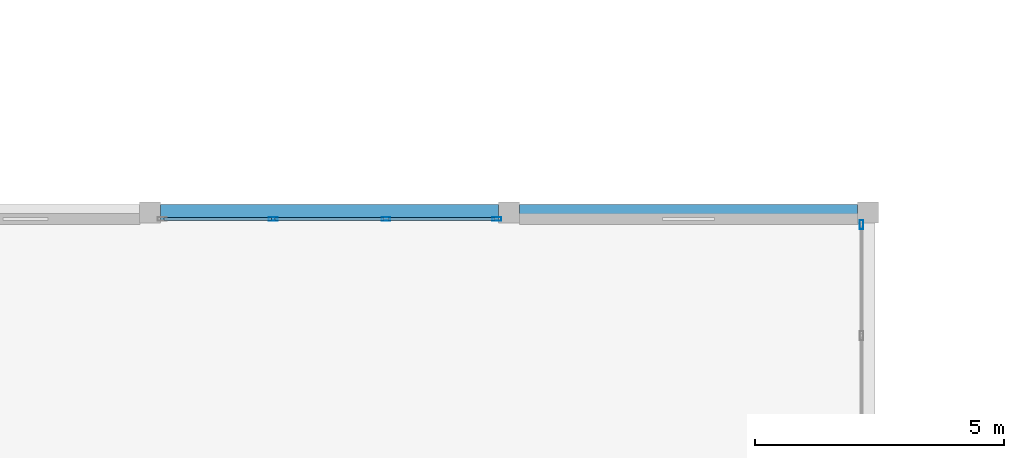
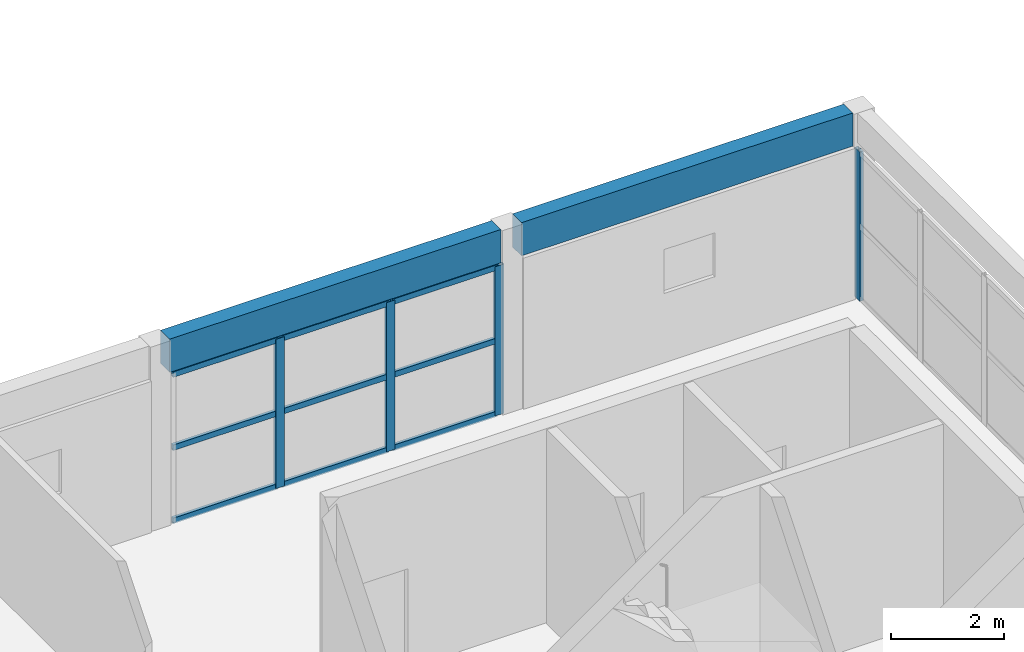
# One storey, part 37 of 68: 13 members, 2 beams, 2 elements without a shape of their own.
"""IFC4 building model written with IfcOpenShell, lengths in metres."""

import ifcopenshell
import ifcopenshell.guid

model = None  # the IFC model being written
_history = None  # IfcOwnerHistory: only IFC2X3 demands one
_inside = {}  # id of a spatial element -> (the spatial element, [elements in it])
_under = {}  # id of a project, library or spatial element -> (it, [spatial elements below it])
_declared = {}  # id of a project -> (the project, [libraries it declares])
_typed = {}  # id of a type object -> (the type object, [elements of that type])
_made_of = {}  # id of a material, layer set ... -> (it, [elements and type objects made of it])


def new_model(schema):
    """Start an empty IFC model of exactly this schema.

    Asked for "IFC4X3", IfcOpenShell would pick the latest addendum, in which some entities
    have other attributes; the version numbers below select the first issue.
    IFC2X3 requires an IfcOwnerHistory on every rooted entity: one is made here for all.
    """
    global model, _history
    if schema == "IFC4X3":
        model = ifcopenshell.file(schema_version=(4, 3, 0, 0))
    else:
        model = ifcopenshell.file(schema=schema)
    _inside.clear()
    _under.clear()
    _declared.clear()
    _typed.clear()
    _made_of.clear()
    _history = None
    if model.schema == "IFC2X3":
        org = make("IfcOrganization", Name="unknown")
        user = make(
            "IfcPersonAndOrganization",
            ThePerson=make("IfcPerson", FamilyName="unknown"),
            TheOrganization=org,
        )
        app = make(
            "IfcApplication",
            ApplicationDeveloper=org,
            Version="unknown",
            ApplicationFullName="unknown",
            ApplicationIdentifier="unknown",
        )
        _history = make(
            "IfcOwnerHistory",
            OwningUser=user,
            OwningApplication=app,
            ChangeAction="ADDED",
            CreationDate=0,
        )
    return model


def make(cls, **values):
    """One entity of the class cls with the attributes given. An attribute that is None is left unset."""
    return model.create_entity(
        cls, **{name: value for name, value in values.items() if value is not None}
    )


def rooted(cls, **values):
    """An entity with a GlobalId (a new one), such as an element, a storey or a relation."""
    return make(cls, GlobalId=ifcopenshell.guid.new(), OwnerHistory=_history, **values)


def si_unit(unit_type, name, prefix=None):
    """IfcSIUnit, for example si_unit("LENGTHUNIT", "METRE", prefix="MILLI")."""
    return make("IfcSIUnit", UnitType=unit_type, Prefix=prefix, Name=name)


def assignment(units):
    """IfcUnitAssignment: the units of a project."""
    return None if units is None else make("IfcUnitAssignment", Units=units)


def point(xyz):
    """IfcCartesianPoint."""
    return None if xyz is None else make("IfcCartesianPoint", Coordinates=xyz)


def direction(xyz):
    """IfcDirection."""
    return None if xyz is None else make("IfcDirection", DirectionRatios=xyz)


def frame(location, z_axis=None, x_axis=None):
    """IfcAxis2Placement3D, a coordinate frame: its origin and axes. An axis left out is left unset."""
    return make(
        "IfcAxis2Placement3D",
        Location=point(location),
        Axis=direction(z_axis),
        RefDirection=direction(x_axis),
    )


def frame_2d(location, x_axis=None):
    """IfcAxis2Placement2D, a coordinate frame in the plane: its origin and x axis."""
    return make(
        "IfcAxis2Placement2D", Location=point(location), RefDirection=direction(x_axis)
    )


def origin():
    """The frame at (0, 0, 0) with its axes left unset."""
    return frame((0.0, 0.0, 0.0))


def origin_2d():
    """The frame at (0, 0) in the plane with its x axis left unset."""
    return frame_2d((0.0, 0.0))


def place(relative_to, where):
    """IfcLocalPlacement: puts the frame where relative to a parent placement (None: the world)."""
    return make(
        "IfcLocalPlacement", PlacementRelTo=relative_to, RelativePlacement=where
    )


def context(
    kind, dimensions, precision=None, world=None, true_north=None, identifier=None
):
    """IfcGeometricRepresentationContext, for example the 3D "Model" context."""
    return make(
        "IfcGeometricRepresentationContext",
        ContextIdentifier=identifier,
        ContextType=kind,
        CoordinateSpaceDimension=dimensions,
        Precision=precision,
        WorldCoordinateSystem=world,
        TrueNorth=true_north,
    )


def subcontext(parent, identifier, kind, view, scale=None):
    """IfcGeometricRepresentationSubContext, for example "Body" below "Model"."""
    return make(
        "IfcGeometricRepresentationSubContext",
        ContextIdentifier=identifier,
        ContextType=kind,
        ParentContext=parent,
        TargetScale=scale,
        TargetView=view,
    )


def project(units=None, contexts=None):
    """IfcProject with its units and contexts."""
    return rooted(
        "IfcProject",
        Name="project",
        RepresentationContexts=contexts,
        UnitsInContext=assignment(units),
    )


def spatial(cls, under=None, at=None, **own):
    """A site, building, storey or space (cls), placed at a placement, below another one or the project."""
    s = rooted(cls, ObjectPlacement=at, **own)
    if under is not None:
        _under.setdefault(under.id(), (under, []))[1].append(s)
    return s


def profile(cls, at=None, kind="AREA", **sizes):
    """A parametric profile (cls). Its sizes go by their IFC names, for example OverallWidth=200.0."""
    return make(cls, ProfileType=kind, Position=at, **sizes)


def rectangle(**sizes):
    """IfcRectangleProfileDef."""
    return profile("IfcRectangleProfileDef", **sizes)


def hollow_rectangle(**sizes):
    """IfcRectangleHollowProfileDef."""
    return profile("IfcRectangleHollowProfileDef", **sizes)


def extrude(swept, where, along, depth):
    """IfcExtrudedAreaSolid: the profile swept, set in the frame where, extruded along a direction by depth."""
    return make(
        "IfcExtrudedAreaSolid",
        SweptArea=swept,
        Position=where,
        ExtrudedDirection=direction(along),
        Depth=depth,
    )


def shape(context_of_items, identifier, shape_type, items):
    """IfcShapeRepresentation: the items that make up one representation, for example the "Body"."""
    return make(
        "IfcShapeRepresentation",
        ContextOfItems=context_of_items,
        RepresentationIdentifier=identifier,
        RepresentationType=shape_type,
        Items=items,
    )


def material(Name=None, Category=None):
    """IfcMaterial."""
    return make("IfcMaterial", Name=Name, Category=Category)


def material_profile(
    of_material, cross_section, Name=None, Category=None, Priority=None
):
    """IfcMaterialProfile: a cross section and its material."""
    return make(
        "IfcMaterialProfile",
        Name=Name,
        Material=of_material,
        Profile=cross_section,
        Priority=Priority,
        Category=Category,
    )


def profile_set(profiles, Name=None, composite=None):
    """IfcMaterialProfileSet."""
    return make(
        "IfcMaterialProfileSet",
        Name=Name,
        MaterialProfiles=profiles,
        CompositeProfile=composite,
    )


def made_of(thing, what):
    """Note that an element or type object is made of a material, layer set ...; save() writes the relation."""
    if what is not None:
        _made_of.setdefault(what.id(), (what, []))[1].append(thing)
    return thing


def type_object(cls, material=None, **own):
    """A type object (cls), such as IfcWallType, which elements share."""
    return made_of(rooted(cls, **own), material)


def element(
    cls,
    number,
    at=None,
    inside=None,
    cuts=None,
    type_object=None,
    material=None,
    context=None,
    identifier="Body",
    shape_type=None,
    held_by="IfcProductDefinitionShape",
    body=None,
    shapes=None,
    **own,
):
    """One element of the class cls, such as IfcWall. Its Tag is "e" and its number.

    at: its placement. inside: the storey or other place that contains it. cuts: it is an
    opening in that element (IfcRelVoidsElement). A single representation is given by context,
    identifier, shape_type and body (its items); several are given by shapes. held_by: the class
    of the entity that holds the representations. save() writes the other relations.
    """
    e = rooted(cls, Tag="e%d" % number, ObjectPlacement=at, **own)
    if body is not None:
        shapes = [shape(context, identifier, shape_type, body)]
    if shapes is not None:
        e.Representation = make(held_by, Representations=shapes)
    if inside is not None:
        _inside.setdefault(inside.id(), (inside, []))[1].append(e)
    if cuts is not None:
        rooted(
            "IfcRelVoidsElement", RelatingBuildingElement=cuts, RelatedOpeningElement=e
        )
    if type_object is not None:
        _typed.setdefault(type_object.id(), (type_object, []))[1].append(e)
    return made_of(e, material)


def aggregate(whole, parts):
    """IfcRelAggregates: a whole, such as a stair, and the parts it consists of."""
    return rooted("IfcRelAggregates", RelatingObject=whole, RelatedObjects=parts)


def save(model, path):
    """Write the relations noted so far, then the file.

    IfcRelAggregates (storeys below a building ...), IfcRelContainedInSpatialStructure (elements
    in a storey), IfcRelDefinesByType, IfcRelAssociatesMaterial and IfcRelDeclares: one each for
    every whole, place, type object, material and project.
    """
    for whole, parts in _under.values():
        aggregate(whole, parts)
    for where, things in _inside.values():
        rooted(
            "IfcRelContainedInSpatialStructure",
            RelatedElements=things,
            RelatingStructure=where,
        )
    for kind, things in _typed.values():
        rooted("IfcRelDefinesByType", RelatedObjects=things, RelatingType=kind)
    for what, things in _made_of.values():
        rooted("IfcRelAssociatesMaterial", RelatedObjects=things, RelatingMaterial=what)
    for by, libraries in _declared.values():
        rooted("IfcRelDeclares", RelatingContext=by, RelatedDefinitions=libraries)
    model.write(path)


model = new_model("IFC4")

# Units and contexts
model_context = context("Model", 3, precision=1e-05, world=origin(), true_north=direction((0.0, 1.0)))
body_context = subcontext(model_context, "Body", "Model", "MODEL_VIEW")
ifc_project = project(units=[si_unit("LENGTHUNIT", "METRE"), si_unit("AREAUNIT", "SQUARE_METRE"), si_unit("VOLUMEUNIT", "CUBIC_METRE"), si_unit("PLANEANGLEUNIT", "RADIAN"), si_unit("MASSUNIT", "GRAM", prefix="KILO")], contexts=[model_context])

# Site, building, storey
site_placement = place(None, origin())
site = spatial("IfcSite", under=ifc_project, at=site_placement, CompositionType="ELEMENT")
building_placement = place(site_placement, origin())
building = spatial("IfcBuilding", under=site, at=building_placement, Name="Bramvelor Terrace Health Centre", CompositionType="ELEMENT")
storey_placement = place(building_placement, frame((0.0, 0.0, 9.300048828125)))
storey = spatial("IfcBuildingStorey", under=building, at=storey_placement, Name="L03", CompositionType="ELEMENT", Elevation=9.300048828125)

# Beams
ifc_material_1 = material(Name="Glulam GL28h", Category="wood")
ifc_material_profile_1 = material_profile(ifc_material_1, rectangle(XDim=0.320068359375, YDim=0.719970703125, at=origin_2d()), Name="GL 320x720")
ifc_profile_set_1 = profile_set([ifc_material_profile_1], Name="Glulam GL28h")
beam_type = type_object("IfcBeamType", Name="BM-GL-G720", PredefinedType="BEAM", material=ifc_profile_set_1)
beam_1_placement = place(storey_placement, frame((79.409912109375, 100.800048828125, 3.6298828125), z_axis=(1.0, 0.0, 0.0), x_axis=(0.0, 1.0, 0.0)))
element("IfcBeam", 1, at=beam_1_placement, inside=storey, type_object=beam_type, Name="L03 Floor Girder", PredefinedType="BEAM", context=body_context, shape_type="SweptSolid", body=[
    extrude(rectangle(XDim=0.320068359375, YDim=0.719970703125, at=origin_2d()), origin(), (0.0, 0.0, 1.0), 6.780029296875),
])
beam_2_placement = place(storey_placement, frame((86.610107421875, 100.800048828125, 3.6298828125), z_axis=(1.0, 0.0, 0.0), x_axis=(0.0, 1.0, 0.0)))
element("IfcBeam", 2, at=beam_2_placement, inside=storey, type_object=beam_type, Name="L03 Floor Girder", PredefinedType="BEAM", context=body_context, shape_type="SweptSolid", body=[
    extrude(rectangle(XDim=0.320068359375, YDim=0.719970703125, at=origin_2d()), origin(), (0.0, 0.0, 1.0), 6.77978515625),
])

# Curtain wall, members
ifc_material_2 = material(Name="Anodized aluminium and double low-E glass", Category="aluminium")
curtain_wall_type = type_object("IfcCurtainWallType", Name="CW-SYS-27", PredefinedType="NOTDEFINED", material=ifc_material_2)
curtain_wall_1_placement = place(storey_placement, origin())
curtain_wall_1 = element("IfcCurtainWall", 3, at=curtain_wall_1_placement, inside=storey, type_object=curtain_wall_type, Name="L03 Unitized Curtain Wall 177", PredefinedType="NOTDEFINED")
ifc_material_3 = material(Name="Anodized aluminium 6063-T6", Category="aluminium")
ifc_material_profile_2 = material_profile(ifc_material_3, hollow_rectangle(XDim=0.074951171875, YDim=0.179931640625, WallThickness=0.00341796875, at=origin_2d()), Name="ALU-MUL 75x180x3.5")
ifc_profile_set_2 = profile_set([ifc_material_profile_2], Name="Anodized aluminium 6063-T6")
member_type_1 = type_object("IfcMemberType", Name="CW-MUL-65x180", PredefinedType="MULLION", material=ifc_profile_set_2)
member_1_placement = place(storey_placement, frame((81.668212890625, 100.669921875, 0.0), z_axis=(0.0, 0.0, 1.0), x_axis=(0.0, 1.0, 0.0)))
member_1 = element("IfcMember", 4, at=member_1_placement, type_object=member_type_1, Name="CW-27 mullion 2", PredefinedType="MULLION", context=body_context, shape_type="SweptSolid", body=[
    extrude(hollow_rectangle(XDim=0.074951171875, YDim=0.179931640625, WallThickness=0.00341796875, at=origin_2d()), origin(), (0.0, 0.0, 1.0), 3.22998046875),
])
member_2_placement = place(storey_placement, frame((83.931640625, 100.669921875, 0.0), z_axis=(0.0, 0.0, 1.0), x_axis=(0.0, 1.0, 0.0)))
member_2 = element("IfcMember", 5, at=member_2_placement, type_object=member_type_1, Name="CW-27 mullion 3", PredefinedType="MULLION", context=body_context, shape_type="SweptSolid", body=[
    extrude(hollow_rectangle(XDim=0.074951171875, YDim=0.179931640625, WallThickness=0.00341796875, at=origin_2d()), origin(), (0.0, 0.0, 1.0), 3.22998046875),
])
member_3_placement = place(storey_placement, frame((86.157470703125, 100.669921875, 0.0), z_axis=(0.0, 0.0, 1.0), x_axis=(0.0, 1.0, 0.0)))
member_3 = element("IfcMember", 6, at=member_3_placement, type_object=member_type_1, Name="CW-27 mullion 4", PredefinedType="MULLION", context=body_context, shape_type="SweptSolid", body=[
    extrude(hollow_rectangle(XDim=0.074951171875, YDim=0.179931640625, WallThickness=0.00341796875, at=origin_2d()), origin(), (0.0, 0.0, 1.0), 3.22998046875),
])

# Curtain wall, member
curtain_wall_2_placement = place(storey_placement, origin())
curtain_wall_2 = element("IfcCurtainWall", 7, at=curtain_wall_2_placement, inside=storey, type_object=curtain_wall_type, Name="L03 Unitized Curtain Wall 178", PredefinedType="NOTDEFINED")
member_4_placement = place(storey_placement, frame((93.469970703125, 100.5576171875, 0.0), z_axis=(0.0, 0.0, 1.0), x_axis=(1.0, 0.0, 0.0)))
member_4 = element("IfcMember", 8, at=member_4_placement, type_object=member_type_1, Name="CW-27 mullion 1", PredefinedType="MULLION", context=body_context, shape_type="SweptSolid", body=[
    extrude(hollow_rectangle(XDim=0.074951171875, YDim=0.179931640625, WallThickness=0.00341796875, at=origin_2d()), origin(), (0.0, 0.0, 1.0), 3.22998046875),
])
aggregate(curtain_wall_2, [member_4])

# Member
ifc_material_4 = material(Name="Anodized aluminium 6063-T6", Category="aluminium")
ifc_material_profile_3 = material_profile(ifc_material_4, hollow_rectangle(XDim=0.06494140625, YDim=0.1201171875, WallThickness=0.0029296875, at=origin_2d()), Name="ALU-TRN 65x120x3.0")
ifc_profile_set_3 = profile_set([ifc_material_profile_3], Name="Anodized aluminium 6063-T6")
member_type_2 = type_object("IfcMemberType", Name="CW-TRN-65x150", PredefinedType="USERDEFINED", material=ifc_profile_set_3)
member_5_placement = place(storey_placement, frame((79.47998046875, 100.669921875, 0.032470703125), z_axis=(1.0, 0.0, 0.0), x_axis=(0.0, 1.0, 0.0)))
member_5 = element("IfcMember", 9, at=member_5_placement, type_object=member_type_2, Name="CW-27 transom 1.1", ObjectType="TRANSOM", PredefinedType="USERDEFINED", context=body_context, shape_type="SweptSolid", body=[
    extrude(hollow_rectangle(XDim=0.06494140625, YDim=0.1201171875, WallThickness=0.0029296875, at=origin_2d()), origin(), (0.0, 0.0, 1.0), 2.15087890625),
])

member_6_placement = place(storey_placement, frame((79.47998046875, 100.669921875, 1.614990234375), z_axis=(1.0, 0.0, 0.0), x_axis=(0.0, 1.0, 0.0)))
member_6 = element("IfcMember", 10, at=member_6_placement, type_object=member_type_2, Name="CW-27 transom 1.2", ObjectType="TRANSOM", PredefinedType="USERDEFINED", context=body_context, shape_type="SweptSolid", body=[
    extrude(hollow_rectangle(XDim=0.06494140625, YDim=0.1201171875, WallThickness=0.0029296875, at=origin_2d()), origin(), (0.0, 0.0, 1.0), 2.15087890625),
])

member_7_placement = place(storey_placement, frame((79.47998046875, 100.669921875, 3.197509765625), z_axis=(1.0, 0.0, 0.0), x_axis=(0.0, 1.0, 0.0)))
member_7 = element("IfcMember", 11, at=member_7_placement, type_object=member_type_2, Name="CW-27 transom 1.3", ObjectType="TRANSOM", PredefinedType="USERDEFINED", context=body_context, shape_type="SweptSolid", body=[
    extrude(hollow_rectangle(XDim=0.06494140625, YDim=0.1201171875, WallThickness=0.0029296875, at=origin_2d()), origin(), (0.0, 0.0, 1.0), 2.15087890625),
])

member_8_placement = place(storey_placement, frame((81.705810546875, 100.669921875, 0.032470703125), z_axis=(1.0, 0.0, 0.0), x_axis=(0.0, 1.0, 0.0)))
member_8 = element("IfcMember", 12, at=member_8_placement, type_object=member_type_2, Name="CW-27 transom 2.1", ObjectType="TRANSOM", PredefinedType="USERDEFINED", context=body_context, shape_type="SweptSolid", body=[
    extrude(hollow_rectangle(XDim=0.06494140625, YDim=0.1201171875, WallThickness=0.0029296875, at=origin_2d()), origin(), (0.0, 0.0, 1.0), 2.1884765625),
])

member_9_placement = place(storey_placement, frame((81.705810546875, 100.669921875, 1.614990234375), z_axis=(1.0, 0.0, 0.0), x_axis=(0.0, 1.0, 0.0)))
member_9 = element("IfcMember", 13, at=member_9_placement, type_object=member_type_2, Name="CW-27 transom 2.2", ObjectType="TRANSOM", PredefinedType="USERDEFINED", context=body_context, shape_type="SweptSolid", body=[
    extrude(hollow_rectangle(XDim=0.06494140625, YDim=0.1201171875, WallThickness=0.0029296875, at=origin_2d()), origin(), (0.0, 0.0, 1.0), 2.1884765625),
])

member_10_placement = place(storey_placement, frame((81.705810546875, 100.669921875, 3.197509765625), z_axis=(1.0, 0.0, 0.0), x_axis=(0.0, 1.0, 0.0)))
member_10 = element("IfcMember", 14, at=member_10_placement, type_object=member_type_2, Name="CW-27 transom 2.3", ObjectType="TRANSOM", PredefinedType="USERDEFINED", context=body_context, shape_type="SweptSolid", body=[
    extrude(hollow_rectangle(XDim=0.06494140625, YDim=0.1201171875, WallThickness=0.0029296875, at=origin_2d()), origin(), (0.0, 0.0, 1.0), 2.1884765625),
])

member_11_placement = place(storey_placement, frame((83.96923828125, 100.669921875, 0.032470703125), z_axis=(1.0, 0.0, 0.0), x_axis=(0.0, 1.0, 0.0)))
member_11 = element("IfcMember", 15, at=member_11_placement, type_object=member_type_2, Name="CW-27 transom 3.1", ObjectType="TRANSOM", PredefinedType="USERDEFINED", context=body_context, shape_type="SweptSolid", body=[
    extrude(hollow_rectangle(XDim=0.06494140625, YDim=0.1201171875, WallThickness=0.0029296875, at=origin_2d()), origin(), (0.0, 0.0, 1.0), 2.15087890625),
])

member_12_placement = place(storey_placement, frame((83.96923828125, 100.669921875, 1.614990234375), z_axis=(1.0, 0.0, 0.0), x_axis=(0.0, 1.0, 0.0)))
member_12 = element("IfcMember", 16, at=member_12_placement, type_object=member_type_2, Name="CW-27 transom 3.2", ObjectType="TRANSOM", PredefinedType="USERDEFINED", context=body_context, shape_type="SweptSolid", body=[
    extrude(hollow_rectangle(XDim=0.06494140625, YDim=0.1201171875, WallThickness=0.0029296875, at=origin_2d()), origin(), (0.0, 0.0, 1.0), 2.15087890625),
])

member_13_placement = place(storey_placement, frame((83.96923828125, 100.669921875, 3.197509765625), z_axis=(1.0, 0.0, 0.0), x_axis=(0.0, 1.0, 0.0)))
member_13 = element("IfcMember", 17, at=member_13_placement, type_object=member_type_2, Name="CW-27 transom 3.3", ObjectType="TRANSOM", PredefinedType="USERDEFINED", context=body_context, shape_type="SweptSolid", body=[
    extrude(hollow_rectangle(XDim=0.06494140625, YDim=0.1201171875, WallThickness=0.0029296875, at=origin_2d()), origin(), (0.0, 0.0, 1.0), 2.15087890625),
])

aggregate(curtain_wall_1, [member_1, member_2, member_3, member_5, member_6, member_7, member_8, member_9, member_10, member_11, member_12, member_13])

save(model, "model.ifc")
